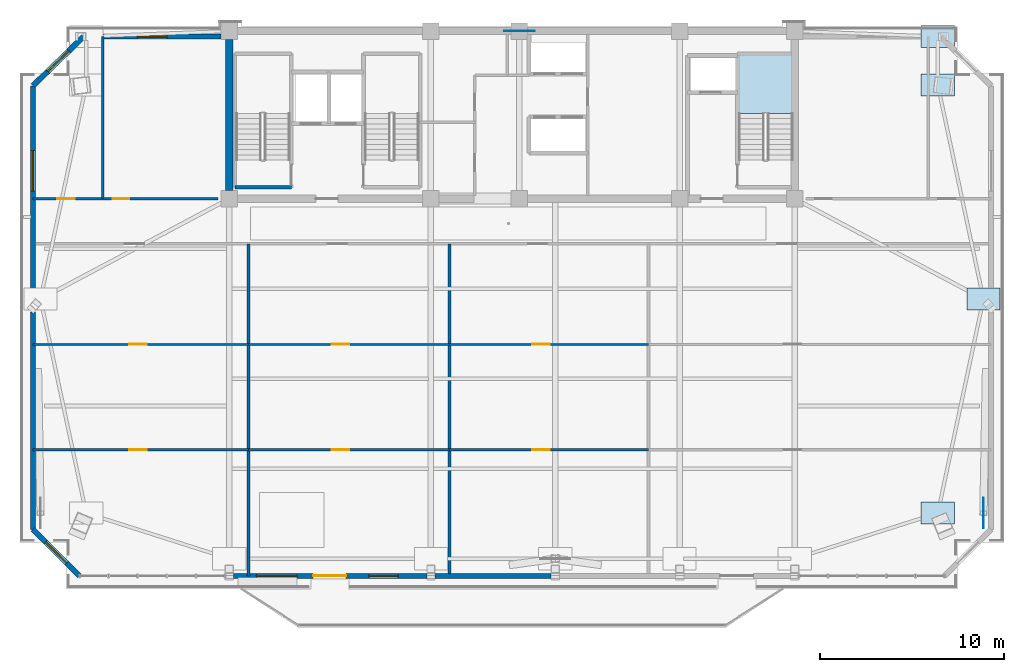
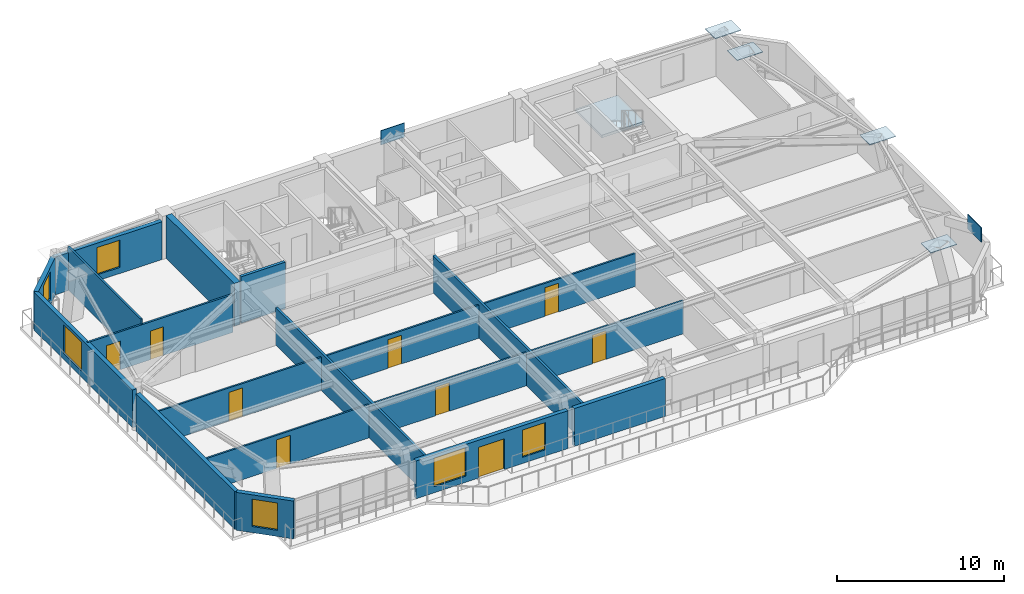
# One storey, part 8 of 15: 19 walls, 9 doors, 6 plates, 6 windows, 1 slab, 15 openings, 1 element without a shape of its own.
"""IFC4 building model written with IfcOpenShell, lengths in metres."""

from ifc_helpers import new_model, si_unit, direction, frame, frame_2d, origin, origin_2d, place, context, subcontext, project, spatial, polyline, rectangle, outline, extrude, source, transform, mapped, material, layer, layer_set, type_object, element, fill, aggregate, save


model = new_model("IFC4")

# Units and contexts
model_context = context("Model", 3, precision=1e-05, world=origin(), true_north=direction((0.0, 1.0)))
body_context = subcontext(model_context, "Body", "Model", "MODEL_VIEW")
ifc_project = project(units=[si_unit("LENGTHUNIT", "METRE"), si_unit("AREAUNIT", "SQUARE_METRE"), si_unit("VOLUMEUNIT", "CUBIC_METRE"), si_unit("PLANEANGLEUNIT", "RADIAN"), si_unit("MASSUNIT", "GRAM", prefix="KILO")], contexts=[model_context])

# Site, building, storey
site_placement = place(None, origin())
site = spatial("IfcSite", under=ifc_project, at=site_placement, CompositionType="ELEMENT")
building_placement = place(site_placement, origin())
building = spatial("IfcBuilding", under=site, at=building_placement, Name="Giltprow Tower", CompositionType="ELEMENT")
storey_placement = place(building_placement, frame((0.0, 0.0, 275.699951171875)))
storey = spatial("IfcBuildingStorey", under=building, at=storey_placement, Name="L71", CompositionType="ELEMENT", Elevation=275.699951171875)

# Stair, slab
ifc_material_1 = material(Name="Concrete C40", Category="concrete")
stair_type = type_object("IfcStairType", Name="STR-ST-3", PredefinedType="HALF_TURN_STAIR", material=ifc_material_1)
stair_placement = place(storey_placement, origin())
stair = element("IfcStair", 1, at=stair_placement, inside=storey, type_object=stair_type, Name="L71 Core Exit Stair ST-3", PredefinedType="HALF_TURN_STAIR")
ifc_layer_1 = layer(ifc_material_1, 0.196044921875, Name="Concrete C40")
ifc_layer_set_1 = layer_set([ifc_layer_1], Name="Concrete C40")
slab_type = type_object("IfcSlabType", Name="SLD-ST-3", PredefinedType="LANDING", material=ifc_layer_set_1)
slab_placement = place(storey_placement, frame((0.0, 0.0, 1.504150390625)))
slab = element("IfcSlab", 2, at=slab_placement, type_object=slab_type, Name="ST-3 landing 1", PredefinedType="LANDING", context=body_context, shape_type="SweptSolid", body=[
    extrude(outline(polyline([(50.4599609375, 42.070068359375), (50.4599609375, 45.25), (47.5, 45.25), (47.5, 42.070068359375), (50.4599609375, 42.070068359375)])), origin(), (0.0, 0.0, 1.0), 0.19580078125),
])
aggregate(stair, [slab])

# Plates
ifc_material_2 = material(Name="Structural steel Q420GJC", Category="steel")
plate_type_1 = type_object("IfcPlateType", Name="PLT-NODE-CKN1", PredefinedType="USERDEFINED", material=ifc_material_2)
shared_shape_1 = source(origin(), body_context, "Body", "SweptSolid", [
    extrude(rectangle(XDim=1.800048828125, YDim=1.199951171875, at=origin_2d()), origin(), (0.0, 0.0, 1.0), 0.044921875),
])
for number, where, z_axis, x_axis, name in (
    (3, (58.31396484375, 20.385009765625, 3.09765625), (0.0, 0.0, 1.0), (1.0, 0.0, 0.0), "CKN1 Column Taper Splice Node L71-MC_SE"),
    (4, (58.31396484375, 43.6220703125, 3.09765625), (0.0, 0.0, 1.0), (1.0, 0.0, 0.0), "CKN1 Column Taper Splice Node L71-MC_NE"),
    (5, (60.791015625, 32.00390625, 3.09765625), (0.0, 0.0, 1.0), (1.0, 0.0, 0.0), "CKN1 Column Taper Splice Node L71-E_MID"),
    (6, (58.31396484375, 46.25, 3.09765625), (0.0, 0.0, 1.0), (1.0, 0.0, 0.0), "CKN1 Column Taper Splice Node L71-N_E"),
):
    element("IfcPlate", number, at=place(storey_placement, frame(where, z_axis=z_axis, x_axis=x_axis)), inside=storey, type_object=plate_type_1, Name=name, ObjectType="SPLICE", PredefinedType="USERDEFINED", context=body_context, shape_type="MappedRepresentation", body=[
        mapped(shared_shape_1, transform((0.0, 0.0, 0.0), x_axis=(1.0, 0.0, 0.0), y_axis=(0.0, 1.0, 0.0), z_axis=(0.0, 0.0, 1.0), scale=1.0)),
    ])
plate_type_2 = type_object("IfcPlateType", Name="PLT-NODE-MBN2", PredefinedType="USERDEFINED", material=ifc_material_2)
shared_shape_2 = source(origin(), body_context, "Body", "SweptSolid", [
    extrude(rectangle(XDim=1.64990234375, YDim=0.044921875, at=origin_2d()), origin(), (0.0, 0.0, 1.0), 1.050048828125),
])
for number, where, z_axis, x_axis, name in (
    (7, (35.60009765625, 46.550048828125, 2.73486328125), (0.0, 0.0, 1.0), (1.0, 0.0, 0.0), "Mega-Brace Node L71-N-LB"),
    (8, (60.791015625, 20.385009765625, 2.875), (0.0, 0.0, 1.0), (0.0, 1.0, 0.0), "Mega-Brace Node L71-E-DB"),
):
    element("IfcPlate", number, at=place(storey_placement, frame(where, z_axis=z_axis, x_axis=x_axis)), inside=storey, type_object=plate_type_2, Name=name, ObjectType="GUSSET", PredefinedType="USERDEFINED", context=body_context, shape_type="MappedRepresentation", body=[
        mapped(shared_shape_2, transform((0.0, 0.0, 0.0), x_axis=(1.0, 0.0, 0.0), y_axis=(0.0, 1.0, 0.0), z_axis=(0.0, 0.0, 1.0), scale=1.0)),
    ])

# Wall, opening, window
ifc_material_3 = material(Name="Precast concrete C40", Category="concrete")
ifc_layer_2 = layer(ifc_material_3, 0.300048828125, Name="Precast concrete C40")
ifc_layer_set_2 = layer_set([ifc_layer_2], Name="Precast concrete C40")
wall_type_1 = type_object("IfcWallType", Name="EW-NOTCH-CHAMFER-300", PredefinedType="SOLIDWALL", material=ifc_layer_set_2)
wall_1_placement = place(storey_placement, frame((9.194091796875, 19.4990234375, 0.0), z_axis=(0.0, 0.0, 1.0), x_axis=(0.707106781187, -0.707106781187, 0.0)))
wall_1 = element("IfcWall", 9, at=wall_1_placement, inside=storey, type_object=wall_type_1, Name="L71 Corner Notch Wall SW", PredefinedType="SOLIDWALL", context=body_context, shape_type="SweptSolid", body=[
    extrude(rectangle(XDim=3.56787109375, YDim=0.300048828125, at=frame_2d((1.783935546875, 0.0))), origin(), (0.0, 0.0, 1.0), 2.77001953125),
])
opening_1_placement = place(wall_1_placement, frame((0.98388671875, 0.0, 0.449951171875)))
opening_1 = element("IfcOpeningElement", 10, at=opening_1_placement, cuts=wall_1, Name="Opening WN17", PredefinedType="OPENING", context=body_context, shape_type="SweptSolid", body=[
    extrude(rectangle(XDim=1.60009765625, YDim=2.0, at=frame_2d((0.800048828125, 1.0))), frame((0.0, 0.159912109375, 0.0), z_axis=(0.0, -1.0, 0.0), x_axis=(1.0, 0.0, 0.0)), (0.0, 0.0, 1.0), 0.320068359375),
])
ifc_material_4 = material(Name="Insulated glass", Category="glass")
window_type_1 = type_object("IfcWindowType", Name="WN-COR-1600x2000", PartitioningType="SINGLE_PANEL", PredefinedType="WINDOW", material=ifc_material_4)
shared_shape_3 = source(origin(), body_context, "Body", "SweptSolid", [
    extrude(rectangle(XDim=1.60009765625, YDim=2.0, at=frame_2d((0.800048828125, 1.0))), frame((0.0, 0.030029296875, 0.0), z_axis=(0.0, -1.0, 0.0), x_axis=(1.0, 0.0, 0.0)), (0.0, 0.0, 1.0), 0.06005859375),
])
window_1_placement = place(opening_1_placement, origin())
window_1 = element("IfcWindow", 11, at=window_1_placement, inside=storey, type_object=window_type_1, Name="L71 Corner Notch Window SW", OverallHeight=2.0, OverallWidth=1.60009765625, PartitioningType="SINGLE_PANEL", PredefinedType="WINDOW", context=body_context, shape_type="MappedRepresentation", body=[
    mapped(shared_shape_3, transform((0.0, 0.0, 0.0), x_axis=(1.0, 0.0, 0.0), y_axis=(0.0, 1.0, 0.0), z_axis=(0.0, 0.0, 1.0), scale=1.0)),
])
fill(opening_1, window_1)

wall_2_placement = place(storey_placement, frame((11.94189453125, 46.25, 0.0), z_axis=(0.0, 0.0, 1.0), x_axis=(-0.716783568283, -0.697295716493, 0.0)))
wall_2 = element("IfcWall", 12, at=wall_2_placement, inside=storey, type_object=wall_type_1, Name="L71 Corner Notch Wall NW", PredefinedType="SOLIDWALL", context=body_context, shape_type="SweptSolid", body=[
    extrude(rectangle(XDim=3.83349609375, YDim=0.300048828125, at=frame_2d((1.916748046875, 0.0))), origin(), (0.0, 0.0, 1.0), 2.77001953125),
])
opening_2_placement = place(wall_2_placement, frame((1.116943359375, 0.0, 0.449951171875)))
opening_2 = element("IfcOpeningElement", 13, at=opening_2_placement, cuts=wall_2, Name="Opening WN17", PredefinedType="OPENING", context=body_context, shape_type="SweptSolid", body=[
    extrude(rectangle(XDim=1.60009765625, YDim=2.0, at=frame_2d((0.800048828125, 1.0))), frame((0.0, 0.159912109375, 0.0), z_axis=(0.0, -1.0, 0.0), x_axis=(1.0, 0.0, 0.0)), (0.0, 0.0, 1.0), 0.320068359375),
])
window_2_placement = place(opening_2_placement, origin())
window_2 = element("IfcWindow", 14, at=window_2_placement, inside=storey, type_object=window_type_1, Name="L71 Corner Notch Window NW", OverallHeight=2.0, OverallWidth=1.60009765625, PartitioningType="SINGLE_PANEL", PredefinedType="WINDOW", context=body_context, shape_type="MappedRepresentation", body=[
    mapped(shared_shape_3, transform((0.0, 0.0, 0.0), x_axis=(1.0, 0.0, 0.0), y_axis=(0.0, 1.0, 0.0), z_axis=(0.0, 0.0, 1.0), scale=1.0)),
])
fill(opening_2, window_2)

# Wall, openings, windows, door
ifc_layer_3 = layer(ifc_material_3, 0.280029296875, Name="Precast concrete C40")
ifc_layer_set_3 = layer_set([ifc_layer_3], Name="Precast concrete C40")
wall_type_2 = type_object("IfcWallType", Name="EW-TOW-BRONZE-280", PredefinedType="SOLIDWALL", material=ifc_layer_set_3)
wall_3_placement = place(storey_placement, frame((20.074951171875, 16.97607421875, 0.0), z_axis=(0.0, 0.0, 1.0), x_axis=(1.0, 0.0, 0.0)))
wall_3 = element("IfcWall", 15, at=wall_3_placement, inside=storey, type_object=wall_type_2, Name="L71 South Expressed Frame Wall 2", PredefinedType="SOLIDWALL", context=body_context, shape_type="SweptSolid", body=[
    extrude(rectangle(XDim=10.5, YDim=0.280029296875, at=frame_2d((5.25, 0.0))), origin(), (0.0, 0.0, 1.0), 2.77001953125),
])
opening_3_placement = place(wall_3_placement, frame((4.324951171875, 0.0, 0.0)))
opening_3 = element("IfcOpeningElement", 16, at=opening_3_placement, cuts=wall_3, Name="Opening ED25", PredefinedType="OPENING", context=body_context, shape_type="SweptSolid", body=[
    extrude(rectangle(XDim=1.800048828125, YDim=2.25, at=frame_2d((0.89990234375, 1.125))), frame((0.0, 0.14990234375, 0.0), z_axis=(0.0, -1.0, 0.0), x_axis=(1.0, 0.0, 0.0)), (0.0, 0.0, 1.0), 0.300048828125),
])
opening_4_placement = place(wall_3_placement, frame((1.2451171875, 0.0, 0.449951171875)))
opening_4 = element("IfcOpeningElement", 17, at=opening_4_placement, cuts=wall_3, Name="Opening WN27", PredefinedType="OPENING", context=body_context, shape_type="SweptSolid", body=[
    extrude(rectangle(XDim=2.199951171875, YDim=2.10009765625, at=frame_2d((1.10009765625, 1.050048828125))), frame((0.0, 0.14990234375, 0.0), z_axis=(0.0, -1.0, 0.0), x_axis=(1.0, 0.0, 0.0)), (0.0, 0.0, 1.0), 0.300048828125),
])
opening_5_placement = place(wall_3_placement, frame((7.35009765625, 0.0, 0.449951171875)))
opening_5 = element("IfcOpeningElement", 18, at=opening_5_placement, cuts=wall_3, Name="Opening WN17", PredefinedType="OPENING", context=body_context, shape_type="SweptSolid", body=[
    extrude(rectangle(XDim=1.60009765625, YDim=2.0, at=frame_2d((0.800048828125, 1.0))), frame((0.0, 0.14990234375, 0.0), z_axis=(0.0, -1.0, 0.0), x_axis=(1.0, 0.0, 0.0)), (0.0, 0.0, 1.0), 0.300048828125),
])
window_3_placement = place(opening_5_placement, origin())
window_3 = element("IfcWindow", 19, at=window_3_placement, inside=storey, type_object=window_type_1, Name="L71 South Window 2B", OverallHeight=2.0, OverallWidth=1.60009765625, PartitioningType="SINGLE_PANEL", PredefinedType="WINDOW", context=body_context, shape_type="MappedRepresentation", body=[
    mapped(shared_shape_3, transform((0.0, 0.0, 0.0), x_axis=(1.0, 0.0, 0.0), y_axis=(0.0, 1.0, 0.0), z_axis=(0.0, 0.0, 1.0), scale=1.0)),
])
fill(opening_5, window_3)
ifc_material_5 = material(Name="Anodized bronze and glass", Category="glass")
door_type_1 = type_object("IfcDoorType", Name="DR-BALC-SLIDE-1800", OperationType="SLIDING_TO_LEFT", PredefinedType="DOOR", material=ifc_material_5)
shared_shape_4 = source(origin(), body_context, "Body", "SweptSolid", [
    extrude(rectangle(XDim=1.800048828125, YDim=2.25, at=frame_2d((0.89990234375, 1.125))), frame((0.0, 0.02490234375, 0.0), z_axis=(0.0, -1.0, 0.0), x_axis=(1.0, 0.0, 0.0)), (0.0, 0.0, 1.0), 0.050048828125),
])
door_1_placement = place(opening_3_placement, origin())
door_1 = element("IfcDoor", 20, at=door_1_placement, inside=storey, type_object=door_type_1, Name="L71 Waterfront Balcony Sliding Door 1", OperationType="SLIDING_TO_LEFT", OverallHeight=2.25, OverallWidth=1.800048828125, PredefinedType="DOOR", context=body_context, shape_type="MappedRepresentation", body=[
    mapped(shared_shape_4, transform((0.0, 0.0, 0.0), x_axis=(1.0, 0.0, 0.0), y_axis=(0.0, 1.0, 0.0), z_axis=(0.0, 0.0, 1.0), scale=1.0)),
])
fill(opening_3, door_1)
window_type_2 = type_object("IfcWindowType", Name="WN-RES-2200x2100", PartitioningType="TRIPLE_PANEL_VERTICAL", PredefinedType="WINDOW", material=ifc_material_4)
shared_shape_5 = source(origin(), body_context, "Body", "SweptSolid", [
    extrude(rectangle(XDim=2.199951171875, YDim=2.10009765625, at=frame_2d((1.10009765625, 1.050048828125))), frame((0.0, 0.030029296875, 0.0), z_axis=(0.0, -1.0, 0.0), x_axis=(1.0, 0.0, 0.0)), (0.0, 0.0, 1.0), 0.06005859375),
])
window_4_placement = place(opening_4_placement, origin())
window_4 = element("IfcWindow", 21, at=window_4_placement, inside=storey, type_object=window_type_2, Name="L71 South Window 2A", OverallHeight=2.10009765625, OverallWidth=2.199951171875, PartitioningType="SINGLE_PANEL", PredefinedType="WINDOW", context=body_context, shape_type="MappedRepresentation", body=[
    mapped(shared_shape_5, transform((0.0, 0.0, 0.0), x_axis=(1.0, 0.0, 0.0), y_axis=(0.0, 1.0, 0.0), z_axis=(0.0, 0.0, 1.0), scale=1.0)),
])
fill(opening_4, window_4)

# Walls
wall_4_placement = place(storey_placement, frame((31.02490234375, 16.97607421875, 0.0), z_axis=(0.0, 0.0, 1.0), x_axis=(1.0, 0.0, 0.0)))
element("IfcWall", 22, at=wall_4_placement, inside=storey, type_object=wall_type_2, Name="L71 South Expressed Frame Wall 3", PredefinedType="SOLIDWALL", context=body_context, shape_type="SweptSolid", body=[
    extrude(rectangle(XDim=6.300048828125, YDim=0.280029296875, at=frame_2d((3.14990234375, 0.0))), origin(), (0.0, 0.0, 1.0), 2.77001953125),
])
wall_5_placement = place(storey_placement, frame((9.194091796875, 19.4990234375, 0.0), z_axis=(0.0, 0.0, 1.0), x_axis=(0.0, 1.0, 0.0)))
element("IfcWall", 23, at=wall_5_placement, inside=storey, type_object=wall_type_2, Name="L71 W Wing Masonry Wall 1", PredefinedType="SOLIDWALL", context=body_context, shape_type="SweptSolid", body=[
    extrude(rectangle(XDim=11.81396484375, YDim=0.280029296875, at=frame_2d((5.906982421875, 0.0))), origin(), (0.0, 0.0, 1.0), 2.77001953125),
])

# Wall, opening, window
wall_6_placement = place(storey_placement, frame((9.194091796875, 31.762939453125, 0.0), z_axis=(0.0, 0.0, 1.0), x_axis=(0.0, 1.0, 0.0)))
wall_6 = element("IfcWall", 24, at=wall_6_placement, inside=storey, type_object=wall_type_2, Name="L71 W Wing Masonry Wall 2", PredefinedType="SOLIDWALL", context=body_context, shape_type="SweptSolid", body=[
    extrude(rectangle(XDim=11.81396484375, YDim=0.280029296875, at=frame_2d((5.906982421875, 0.0))), origin(), (0.0, 0.0, 1.0), 2.77001953125),
])
opening_6_placement = place(wall_6_placement, frame((6.092041015625, 0.0, 0.449951171875)))
opening_6 = element("IfcOpeningElement", 25, at=opening_6_placement, cuts=wall_6, Name="Opening WN27", PredefinedType="OPENING", context=body_context, shape_type="SweptSolid", body=[
    extrude(rectangle(XDim=2.199951171875, YDim=2.10009765625, at=frame_2d((1.10009765625, 1.050048828125))), frame((0.0, 0.14990234375, 0.0), z_axis=(0.0, -1.0, 0.0), x_axis=(1.0, 0.0, 0.0)), (0.0, 0.0, 1.0), 0.300048828125),
])
window_5_placement = place(opening_6_placement, origin())
window_5 = element("IfcWindow", 26, at=window_5_placement, inside=storey, type_object=window_type_2, Name="L71 W Wing Window 2-1", OverallHeight=2.10009765625, OverallWidth=2.199951171875, PartitioningType="SINGLE_PANEL", PredefinedType="WINDOW", context=body_context, shape_type="MappedRepresentation", body=[
    mapped(shared_shape_5, transform((0.0, 0.0, 0.0), x_axis=(1.0, 0.0, 0.0), y_axis=(0.0, 1.0, 0.0), z_axis=(0.0, 0.0, 1.0), scale=1.0)),
])
fill(opening_6, window_5)

wall_7_placement = place(storey_placement, frame((11.94189453125, 46.25, 0.0), z_axis=(0.0, 0.0, 1.0), x_axis=(1.0, 0.0, 0.0)))
wall_7 = element("IfcWall", 27, at=wall_7_placement, inside=storey, type_object=wall_type_2, Name="L71 North-West Wing Wall", PredefinedType="SOLIDWALL", context=body_context, shape_type="SweptSolid", body=[
    extrude(rectangle(XDim=7.4580078125, YDim=0.280029296875, at=frame_2d((3.72900390625, 0.0))), origin(), (0.0, 0.0, 1.0), 2.77001953125),
])
opening_7_placement = place(wall_7_placement, frame((2.928955078125, 0.0, 0.449951171875)))
opening_7 = element("IfcOpeningElement", 28, at=opening_7_placement, cuts=wall_7, Name="Opening WN17", PredefinedType="OPENING", context=body_context, shape_type="SweptSolid", body=[
    extrude(rectangle(XDim=1.60009765625, YDim=2.0, at=frame_2d((0.800048828125, 1.0))), frame((0.0, 0.14990234375, 0.0), z_axis=(0.0, -1.0, 0.0), x_axis=(1.0, 0.0, 0.0)), (0.0, 0.0, 1.0), 0.300048828125),
])
window_6_placement = place(opening_7_placement, origin())
window_6 = element("IfcWindow", 29, at=window_6_placement, inside=storey, type_object=window_type_1, Name="L71 North-West Window", OverallHeight=2.0, OverallWidth=1.60009765625, PartitioningType="SINGLE_PANEL", PredefinedType="WINDOW", context=body_context, shape_type="MappedRepresentation", body=[
    mapped(shared_shape_3, transform((0.0, 0.0, 0.0), x_axis=(1.0, 0.0, 0.0), y_axis=(0.0, 1.0, 0.0), z_axis=(0.0, 0.0, 1.0), scale=1.0)),
])
fill(opening_7, window_6)

# Walls
ifc_material_6 = material(Name="Gypsum stud partition", Category="gypsum")
ifc_layer_4 = layer(ifc_material_6, 0.159912109375, Name="Gypsum stud partition")
ifc_layer_set_4 = layer_set([ifc_layer_4], Name="Gypsum stud partition")
wall_type_3 = type_object("IfcWallType", Name="IW-DEMISE-160", PredefinedType="PARTITIONING", material=ifc_layer_set_4)
for number, where, z_axis, x_axis, name in (
    (30, (20.89990234375, 16.97607421875, 0.0), (0.0, 0.0, 1.0), (0.0, 1.0, 0.0), "L71 Apartment Party Wall 1"),
    (31, (31.800048828125, 16.97607421875, 0.0), (0.0, 0.0, 1.0), (0.0, 1.0, 0.0), "L71 Apartment Party Wall 2"),
):
    element("IfcWall", number, at=place(storey_placement, frame(where, z_axis=z_axis, x_axis=x_axis)), inside=storey, type_object=wall_type_3, Name=name, PredefinedType="PARTITIONING", context=body_context, shape_type="SweptSolid", body=[
        extrude(rectangle(XDim=18.02392578125, YDim=0.159912109375, at=frame_2d((9.011962890625, 0.0))), origin(), (0.0, 0.0, 1.0), 2.72509765625),
    ])

# Wall, opening, door
ifc_layer_5 = layer(ifc_material_6, 0.1201171875, Name="Gypsum stud partition")
ifc_layer_set_5 = layer_set([ifc_layer_5], Name="Gypsum stud partition")
wall_type_4 = type_object("IfcWallType", Name="IW-ROOM-120", PredefinedType="PARTITIONING", material=ifc_layer_set_5)
wall_8_placement = place(storey_placement, frame((9.194091796875, 23.823974609375, 0.0), z_axis=(0.0, 0.0, 1.0), x_axis=(1.0, 0.0, 0.0)))
wall_8 = element("IfcWall", 32, at=wall_8_placement, inside=storey, type_object=wall_type_4, Name="L71 Special Split 1", PredefinedType="PARTITIONING", context=body_context, shape_type="SweptSolid", body=[
    extrude(rectangle(XDim=11.705810546875, YDim=0.1201171875, at=frame_2d((5.85302734375, 0.0))), origin(), (0.0, 0.0, 1.0), 2.425048828125),
])
opening_8_placement = place(wall_8_placement, frame((5.217041015625, 0.0, 0.0)))
opening_8 = element("IfcOpeningElement", 33, at=opening_8_placement, cuts=wall_8, Name="Opening ID11", PredefinedType="OPENING", context=body_context, shape_type="SweptSolid", body=[
    extrude(rectangle(XDim=0.949951171875, YDim=2.10009765625, at=frame_2d((0.47509765625, 1.050048828125))), frame((0.0, 0.070068359375, 0.0), z_axis=(0.0, -1.0, 0.0), x_axis=(1.0, 0.0, 0.0)), (0.0, 0.0, 1.0), 0.14013671875),
])
ifc_material_7 = material(Name="Engineered timber", Category="wood")
door_type_2 = type_object("IfcDoorType", Name="DR-ROOM-950", OperationType="SINGLE_SWING_RIGHT", PredefinedType="DOOR", material=ifc_material_7)
shared_shape_6 = source(origin(), body_context, "Body", "SweptSolid", [
    extrude(rectangle(XDim=0.949951171875, YDim=2.10009765625, at=frame_2d((0.47509765625, 1.050048828125))), frame((0.0, 0.02490234375, 0.0), z_axis=(0.0, -1.0, 0.0), x_axis=(1.0, 0.0, 0.0)), (0.0, 0.0, 1.0), 0.050048828125),
])
door_2_placement = place(opening_8_placement, origin())
door_2 = element("IfcDoor", 34, at=door_2_placement, inside=storey, type_object=door_type_2, Name="L71 Private Wine Cellar Store 1 South Door", OperationType="SINGLE_SWING_RIGHT", OverallHeight=2.10009765625, OverallWidth=0.949951171875, PredefinedType="DOOR", context=body_context, shape_type="MappedRepresentation", body=[
    mapped(shared_shape_6, transform((0.0, 0.0, 0.0), x_axis=(1.0, 0.0, 0.0), y_axis=(0.0, 1.0, 0.0), z_axis=(0.0, 0.0, 1.0), scale=1.0)),
])
fill(opening_8, door_2)

wall_9_placement = place(storey_placement, frame((9.194091796875, 29.5400390625, 0.0), z_axis=(0.0, 0.0, 1.0), x_axis=(1.0, 0.0, 0.0)))
wall_9 = element("IfcWall", 35, at=wall_9_placement, inside=storey, type_object=wall_type_4, Name="L71 Special Split 2", PredefinedType="PARTITIONING", context=body_context, shape_type="SweptSolid", body=[
    extrude(rectangle(XDim=11.705810546875, YDim=0.1201171875, at=frame_2d((5.85302734375, 0.0))), origin(), (0.0, 0.0, 1.0), 2.425048828125),
])
opening_9_placement = place(wall_9_placement, frame((5.217041015625, 0.0, 0.0)))
opening_9 = element("IfcOpeningElement", 36, at=opening_9_placement, cuts=wall_9, Name="Opening ID11", PredefinedType="OPENING", context=body_context, shape_type="SweptSolid", body=[
    extrude(rectangle(XDim=0.949951171875, YDim=2.10009765625, at=frame_2d((0.47509765625, 1.050048828125))), frame((0.0, 0.070068359375, 0.0), z_axis=(0.0, -1.0, 0.0), x_axis=(1.0, 0.0, 0.0)), (0.0, 0.0, 1.0), 0.14013671875),
])
door_3_placement = place(opening_9_placement, origin())
door_3 = element("IfcDoor", 37, at=door_3_placement, inside=storey, type_object=door_type_2, Name="L71 Private Wine Cellar Store 1 Mid Door", OperationType="SINGLE_SWING_LEFT", OverallHeight=2.10009765625, OverallWidth=0.949951171875, PredefinedType="DOOR", context=body_context, shape_type="MappedRepresentation", body=[
    mapped(shared_shape_6, transform((0.0, 0.0, 0.0), x_axis=(1.0, 0.0, 0.0), y_axis=(0.0, 1.0, 0.0), z_axis=(0.0, 0.0, 1.0), scale=1.0)),
])
fill(opening_9, door_3)

wall_10_placement = place(storey_placement, frame((20.89990234375, 23.823974609375, 0.0), z_axis=(0.0, 0.0, 1.0), x_axis=(1.0, 0.0, 0.0)))
wall_10 = element("IfcWall", 38, at=wall_10_placement, inside=storey, type_object=wall_type_4, Name="L71 Special Split 1", PredefinedType="PARTITIONING", context=body_context, shape_type="SweptSolid", body=[
    extrude(rectangle(XDim=10.900146484375, YDim=0.1201171875, at=frame_2d((5.4501953125, 0.0))), origin(), (0.0, 0.0, 1.0), 2.425048828125),
])
opening_10_placement = place(wall_10_placement, frame((4.52587890625, 0.0, 0.0)))
opening_10 = element("IfcOpeningElement", 39, at=opening_10_placement, cuts=wall_10, Name="Opening ID11", PredefinedType="OPENING", context=body_context, shape_type="SweptSolid", body=[
    extrude(rectangle(XDim=0.949951171875, YDim=2.10009765625, at=frame_2d((0.47509765625, 1.050048828125))), frame((0.0, 0.070068359375, 0.0), z_axis=(0.0, -1.0, 0.0), x_axis=(1.0, 0.0, 0.0)), (0.0, 0.0, 1.0), 0.14013671875),
])
door_4_placement = place(opening_10_placement, origin())
door_4 = element("IfcDoor", 40, at=door_4_placement, inside=storey, type_object=door_type_2, Name="L71 Residents Sky Club Lounge South Door", OperationType="SINGLE_SWING_LEFT", OverallHeight=2.10009765625, OverallWidth=0.949951171875, PredefinedType="DOOR", context=body_context, shape_type="MappedRepresentation", body=[
    mapped(shared_shape_6, transform((0.0, 0.0, 0.0), x_axis=(1.0, 0.0, 0.0), y_axis=(0.0, 1.0, 0.0), z_axis=(0.0, 0.0, 1.0), scale=1.0)),
])
fill(opening_10, door_4)

wall_11_placement = place(storey_placement, frame((20.89990234375, 29.5400390625, 0.0), z_axis=(0.0, 0.0, 1.0), x_axis=(1.0, 0.0, 0.0)))
wall_11 = element("IfcWall", 41, at=wall_11_placement, inside=storey, type_object=wall_type_4, Name="L71 Special Split 2", PredefinedType="PARTITIONING", context=body_context, shape_type="SweptSolid", body=[
    extrude(rectangle(XDim=10.900146484375, YDim=0.1201171875, at=frame_2d((5.4501953125, 0.0))), origin(), (0.0, 0.0, 1.0), 2.425048828125),
])
opening_11_placement = place(wall_11_placement, frame((4.52587890625, 0.0, 0.0)))
opening_11 = element("IfcOpeningElement", 42, at=opening_11_placement, cuts=wall_11, Name="Opening ID11", PredefinedType="OPENING", context=body_context, shape_type="SweptSolid", body=[
    extrude(rectangle(XDim=0.949951171875, YDim=2.10009765625, at=frame_2d((0.47509765625, 1.050048828125))), frame((0.0, 0.070068359375, 0.0), z_axis=(0.0, -1.0, 0.0), x_axis=(1.0, 0.0, 0.0)), (0.0, 0.0, 1.0), 0.14013671875),
])
door_5_placement = place(opening_11_placement, origin())
door_5 = element("IfcDoor", 43, at=door_5_placement, inside=storey, type_object=door_type_2, Name="L71 Residents Sky Club Lounge Mid Door", OperationType="SINGLE_SWING_RIGHT", OverallHeight=2.10009765625, OverallWidth=0.949951171875, PredefinedType="DOOR", context=body_context, shape_type="MappedRepresentation", body=[
    mapped(shared_shape_6, transform((0.0, 0.0, 0.0), x_axis=(1.0, 0.0, 0.0), y_axis=(0.0, 1.0, 0.0), z_axis=(0.0, 0.0, 1.0), scale=1.0)),
])
fill(opening_11, door_5)

wall_12_placement = place(storey_placement, frame((31.800048828125, 23.823974609375, 0.0), z_axis=(0.0, 0.0, 1.0), x_axis=(1.0, 0.0, 0.0)))
wall_12 = element("IfcWall", 44, at=wall_12_placement, inside=storey, type_object=wall_type_4, Name="L71 Special Split 1", PredefinedType="PARTITIONING", context=body_context, shape_type="SweptSolid", body=[
    extrude(rectangle(XDim=10.800048828125, YDim=0.1201171875, at=frame_2d((5.39990234375, 0.0))), origin(), (0.0, 0.0, 1.0), 2.425048828125),
])
opening_12_placement = place(wall_12_placement, frame((4.486083984375, 0.0, 0.0)))
opening_12 = element("IfcOpeningElement", 45, at=opening_12_placement, cuts=wall_12, Name="Opening ID11", PredefinedType="OPENING", context=body_context, shape_type="SweptSolid", body=[
    extrude(rectangle(XDim=0.949951171875, YDim=2.10009765625, at=frame_2d((0.47509765625, 1.050048828125))), frame((0.0, 0.070068359375, 0.0), z_axis=(0.0, -1.0, 0.0), x_axis=(1.0, 0.0, 0.0)), (0.0, 0.0, 1.0), 0.14013671875),
])
door_6_placement = place(opening_12_placement, origin())
door_6 = element("IfcDoor", 46, at=door_6_placement, inside=storey, type_object=door_type_2, Name="L71 Residents Sky Club Lounge South Door", OperationType="SINGLE_SWING_RIGHT", OverallHeight=2.10009765625, OverallWidth=0.949951171875, PredefinedType="DOOR", context=body_context, shape_type="MappedRepresentation", body=[
    mapped(shared_shape_6, transform((0.0, 0.0, 0.0), x_axis=(1.0, 0.0, 0.0), y_axis=(0.0, 1.0, 0.0), z_axis=(0.0, 0.0, 1.0), scale=1.0)),
])
fill(opening_12, door_6)

wall_13_placement = place(storey_placement, frame((31.800048828125, 29.5400390625, 0.0), z_axis=(0.0, 0.0, 1.0), x_axis=(1.0, 0.0, 0.0)))
wall_13 = element("IfcWall", 47, at=wall_13_placement, inside=storey, type_object=wall_type_4, Name="L71 Special Split 2", PredefinedType="PARTITIONING", context=body_context, shape_type="SweptSolid", body=[
    extrude(rectangle(XDim=10.800048828125, YDim=0.1201171875, at=frame_2d((5.39990234375, 0.0))), origin(), (0.0, 0.0, 1.0), 2.425048828125),
])
opening_13_placement = place(wall_13_placement, frame((4.486083984375, 0.0, 0.0)))
opening_13 = element("IfcOpeningElement", 48, at=opening_13_placement, cuts=wall_13, Name="Opening ID11", PredefinedType="OPENING", context=body_context, shape_type="SweptSolid", body=[
    extrude(rectangle(XDim=0.949951171875, YDim=2.10009765625, at=frame_2d((0.47509765625, 1.050048828125))), frame((0.0, 0.070068359375, 0.0), z_axis=(0.0, -1.0, 0.0), x_axis=(1.0, 0.0, 0.0)), (0.0, 0.0, 1.0), 0.14013671875),
])
door_7_placement = place(opening_13_placement, origin())
door_7 = element("IfcDoor", 49, at=door_7_placement, inside=storey, type_object=door_type_2, Name="L71 Residents Sky Club Lounge Mid Door", OperationType="SINGLE_SWING_LEFT", OverallHeight=2.10009765625, OverallWidth=0.949951171875, PredefinedType="DOOR", context=body_context, shape_type="MappedRepresentation", body=[
    mapped(shared_shape_6, transform((0.0, 0.0, 0.0), x_axis=(1.0, 0.0, 0.0), y_axis=(0.0, 1.0, 0.0), z_axis=(0.0, 0.0, 1.0), scale=1.0)),
])
fill(opening_13, door_7)

# Wall
ifc_layer_6 = layer(ifc_material_1, 0.199951171875, Name="Concrete C40")
ifc_layer_set_6 = layer_set([ifc_layer_6], Name="Concrete C40")
wall_type_5 = type_object("IfcWallType", Name="IW-STAIR-200", PredefinedType="SOLIDWALL", material=ifc_layer_set_6)
wall_14_placement = place(storey_placement, frame((20.169921875, 38.070068359375, 0.0), z_axis=(0.0, 0.0, 1.0), x_axis=(1.0, 0.0, 0.0)))
element("IfcWall", 50, at=wall_14_placement, inside=storey, type_object=wall_type_5, Name="L71 Stair ST-1 South Bearing Wall", PredefinedType="SOLIDWALL", context=body_context, shape_type="SweptSolid", body=[
    extrude(rectangle(XDim=3.050048828125, YDim=0.199951171875, at=frame_2d((1.52490234375, 0.0))), origin(), (0.0, 0.0, 1.0), 3.400146484375),
])

# Wall, openings, doors
ifc_material_8 = material(Name="Concrete C30", Category="concrete")
ifc_layer_7 = layer(ifc_material_8, 0.1298828125, Name="Concrete C30")
ifc_layer_set_7 = layer_set([ifc_layer_7], Name="Concrete C30")
wall_type_6 = type_object("IfcWallType", Name="IW-WET-130", PredefinedType="PARTITIONING", material=ifc_layer_set_7)
wall_15_placement = place(storey_placement, frame((9.194091796875, 37.449951171875, 0.0), z_axis=(0.0, 0.0, 1.0), x_axis=(1.0, 0.0, 0.0)))
wall_15 = element("IfcWall", 51, at=wall_15_placement, inside=storey, type_object=wall_type_6, Name="L71 NW Wing South Wall", PredefinedType="PARTITIONING", context=body_context, shape_type="SweptSolid", body=[
    extrude(rectangle(XDim=10.055908203125, YDim=0.1298828125, at=frame_2d((5.02783203125, 0.0))), origin(), (0.0, 0.0, 1.0), 2.775146484375),
])
opening_14_placement = place(wall_15_placement, frame((1.31494140625, 0.0, 0.0)))
opening_14 = element("IfcOpeningElement", 52, at=opening_14_placement, cuts=wall_15, Name="Opening ID11", PredefinedType="OPENING", context=body_context, shape_type="SweptSolid", body=[
    extrude(rectangle(XDim=0.949951171875, YDim=2.10009765625, at=frame_2d((0.47509765625, 1.050048828125))), frame((0.0, 0.074951171875, 0.0), z_axis=(0.0, -1.0, 0.0), x_axis=(1.0, 0.0, 0.0)), (0.0, 0.0, 1.0), 0.14990234375),
])
opening_15_placement = place(wall_15_placement, frame((4.341064453125, 0.0, 0.0)))
opening_15 = element("IfcOpeningElement", 53, at=opening_15_placement, cuts=wall_15, Name="Opening ID15", PredefinedType="OPENING", context=body_context, shape_type="SweptSolid", body=[
    extrude(rectangle(XDim=0.89990234375, YDim=2.10009765625, at=frame_2d((0.449951171875, 1.050048828125))), frame((0.0, 0.074951171875, 0.0), z_axis=(0.0, -1.0, 0.0), x_axis=(1.0, 0.0, 0.0)), (0.0, 0.0, 1.0), 0.14990234375),
])
door_type_3 = type_object("IfcDoorType", Name="DR-WC-900", OperationType="SINGLE_SWING_LEFT", PredefinedType="DOOR", material=ifc_material_7)
shared_shape_7 = source(origin(), body_context, "Body", "SweptSolid", [
    extrude(rectangle(XDim=0.89990234375, YDim=2.10009765625, at=frame_2d((0.449951171875, 1.050048828125))), frame((0.0, 0.02490234375, 0.0), z_axis=(0.0, -1.0, 0.0), x_axis=(1.0, 0.0, 0.0)), (0.0, 0.0, 1.0), 0.050048828125),
])
door_8_placement = place(opening_15_placement, origin())
door_8 = element("IfcDoor", 54, at=door_8_placement, inside=storey, type_object=door_type_3, Name="L71 NW Washroom Door", OperationType="SINGLE_SWING_LEFT", OverallHeight=2.10009765625, OverallWidth=0.89990234375, PredefinedType="DOOR", context=body_context, shape_type="MappedRepresentation", body=[
    mapped(shared_shape_7, transform((0.0, 0.0, 0.0), x_axis=(1.0, 0.0, 0.0), y_axis=(0.0, 1.0, 0.0), z_axis=(0.0, 0.0, 1.0), scale=1.0)),
])
fill(opening_15, door_8)
door_9_placement = place(opening_14_placement, origin())
door_9 = element("IfcDoor", 55, at=door_9_placement, inside=storey, type_object=door_type_2, Name="L71 Residents Study Office West Door", OperationType="SINGLE_SWING_RIGHT", OverallHeight=2.10009765625, OverallWidth=0.949951171875, PredefinedType="DOOR", context=body_context, shape_type="MappedRepresentation", body=[
    mapped(shared_shape_6, transform((0.0, 0.0, 0.0), x_axis=(1.0, 0.0, 0.0), y_axis=(0.0, 1.0, 0.0), z_axis=(0.0, 0.0, 1.0), scale=1.0)),
])
fill(opening_14, door_9)

# Walls
wall_16_placement = place(storey_placement, frame((12.985107421875, 37.449951171875, 0.0), z_axis=(0.0, 0.0, 1.0), x_axis=(0.0, 1.0, 0.0)))
element("IfcWall", 56, at=wall_16_placement, inside=storey, type_object=wall_type_6, Name="L71 NW Wing Divider", PredefinedType="PARTITIONING", context=body_context, shape_type="SweptSolid", body=[
    extrude(rectangle(XDim=8.800048828125, YDim=0.1298828125, at=frame_2d((4.39990234375, 0.0))), origin(), (0.0, 0.0, 1.0), 3.14013671875),
])
ifc_material_9 = material(Name="Concrete C45", Category="concrete")
ifc_layer_8 = layer(ifc_material_9, 0.39990234375, Name="Concrete C45")
ifc_layer_set_8 = layer_set([ifc_layer_8], Name="Concrete C45")
wall_type_7 = type_object("IfcWallType", Name="SW-INT-400-C45", PredefinedType="SHEAR", material=ifc_layer_set_8)
wall_17_placement = place(storey_placement, frame((19.85009765625, 37.89990234375, 0.0), z_axis=(0.0, 0.0, 1.0), x_axis=(0.0, 1.0, 0.0)))
element("IfcWall", 57, at=wall_17_placement, inside=storey, type_object=wall_type_7, Name="L71 W Rear Core Shear Wall", PredefinedType="SHEAR", context=body_context, shape_type="SweptSolid", body=[
    extrude(rectangle(XDim=8.2001953125, YDim=0.39990234375, at=frame_2d((4.10009765625, 0.0))), origin(), (0.0, 0.0, 1.0), 3.14013671875),
])

save(model, "model.ifc")
